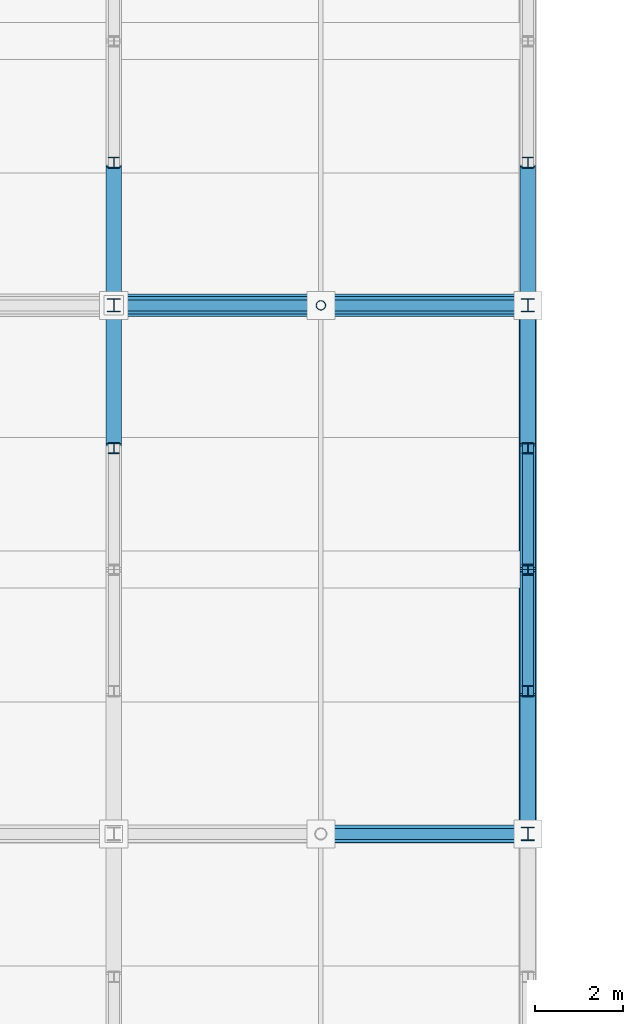
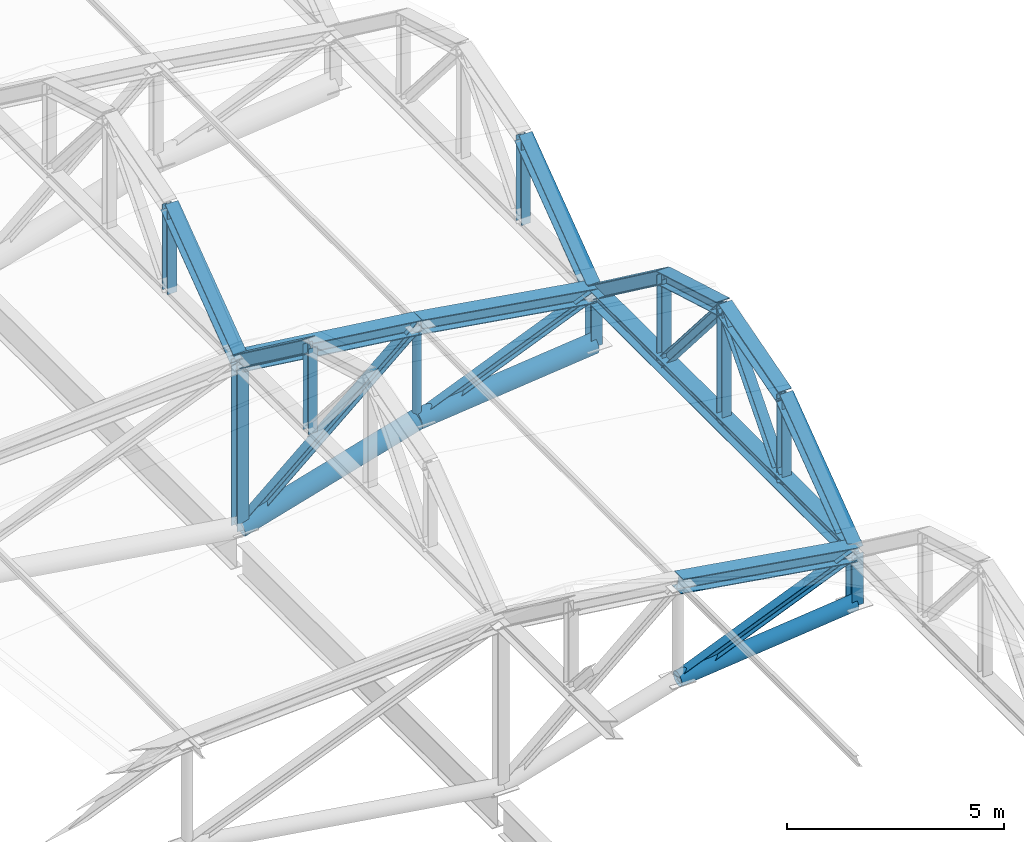
# One storey, part 15 of 117: 29 members.
"""IFC4 building model written with IfcOpenShell, lengths in metres."""

import ifcopenshell
import ifcopenshell.guid

model = None  # the IFC model being written
_history = None  # IfcOwnerHistory: only IFC2X3 demands one
_inside = {}  # id of a spatial element -> (the spatial element, [elements in it])
_under = {}  # id of a project, library or spatial element -> (it, [spatial elements below it])
_declared = {}  # id of a project -> (the project, [libraries it declares])
_typed = {}  # id of a type object -> (the type object, [elements of that type])
_made_of = {}  # id of a material, layer set ... -> (it, [elements and type objects made of it])


def new_model(schema):
    """Start an empty IFC model of exactly this schema.

    Asked for "IFC4X3", IfcOpenShell would pick the latest addendum, in which some entities
    have other attributes; the version numbers below select the first issue.
    IFC2X3 requires an IfcOwnerHistory on every rooted entity: one is made here for all.
    """
    global model, _history
    if schema == "IFC4X3":
        model = ifcopenshell.file(schema_version=(4, 3, 0, 0))
    else:
        model = ifcopenshell.file(schema=schema)
    _inside.clear()
    _under.clear()
    _declared.clear()
    _typed.clear()
    _made_of.clear()
    _history = None
    if model.schema == "IFC2X3":
        org = make("IfcOrganization", Name="unknown")
        user = make(
            "IfcPersonAndOrganization",
            ThePerson=make("IfcPerson", FamilyName="unknown"),
            TheOrganization=org,
        )
        app = make(
            "IfcApplication",
            ApplicationDeveloper=org,
            Version="unknown",
            ApplicationFullName="unknown",
            ApplicationIdentifier="unknown",
        )
        _history = make(
            "IfcOwnerHistory",
            OwningUser=user,
            OwningApplication=app,
            ChangeAction="ADDED",
            CreationDate=0,
        )
    return model


def make(cls, **values):
    """One entity of the class cls with the attributes given. An attribute that is None is left unset."""
    return model.create_entity(
        cls, **{name: value for name, value in values.items() if value is not None}
    )


def rooted(cls, **values):
    """An entity with a GlobalId (a new one), such as an element, a storey or a relation."""
    return make(cls, GlobalId=ifcopenshell.guid.new(), OwnerHistory=_history, **values)


def si_unit(unit_type, name, prefix=None):
    """IfcSIUnit, for example si_unit("LENGTHUNIT", "METRE", prefix="MILLI")."""
    return make("IfcSIUnit", UnitType=unit_type, Prefix=prefix, Name=name)


def assignment(units):
    """IfcUnitAssignment: the units of a project."""
    return None if units is None else make("IfcUnitAssignment", Units=units)


def point(xyz):
    """IfcCartesianPoint."""
    return None if xyz is None else make("IfcCartesianPoint", Coordinates=xyz)


def direction(xyz):
    """IfcDirection."""
    return None if xyz is None else make("IfcDirection", DirectionRatios=xyz)


def frame(location, z_axis=None, x_axis=None):
    """IfcAxis2Placement3D, a coordinate frame: its origin and axes. An axis left out is left unset."""
    return make(
        "IfcAxis2Placement3D",
        Location=point(location),
        Axis=direction(z_axis),
        RefDirection=direction(x_axis),
    )


def frame_2d(location, x_axis=None):
    """IfcAxis2Placement2D, a coordinate frame in the plane: its origin and x axis."""
    return make(
        "IfcAxis2Placement2D", Location=point(location), RefDirection=direction(x_axis)
    )


def origin():
    """The frame at (0, 0, 0) with its axes left unset."""
    return frame((0.0, 0.0, 0.0))


def origin_2d():
    """The frame at (0, 0) in the plane with its x axis left unset."""
    return frame_2d((0.0, 0.0))


def place(relative_to, where):
    """IfcLocalPlacement: puts the frame where relative to a parent placement (None: the world)."""
    return make(
        "IfcLocalPlacement", PlacementRelTo=relative_to, RelativePlacement=where
    )


def context(
    kind, dimensions, precision=None, world=None, true_north=None, identifier=None
):
    """IfcGeometricRepresentationContext, for example the 3D "Model" context."""
    return make(
        "IfcGeometricRepresentationContext",
        ContextIdentifier=identifier,
        ContextType=kind,
        CoordinateSpaceDimension=dimensions,
        Precision=precision,
        WorldCoordinateSystem=world,
        TrueNorth=true_north,
    )


def subcontext(parent, identifier, kind, view, scale=None):
    """IfcGeometricRepresentationSubContext, for example "Body" below "Model"."""
    return make(
        "IfcGeometricRepresentationSubContext",
        ContextIdentifier=identifier,
        ContextType=kind,
        ParentContext=parent,
        TargetScale=scale,
        TargetView=view,
    )


def project(units=None, contexts=None):
    """IfcProject with its units and contexts."""
    return rooted(
        "IfcProject",
        Name="project",
        RepresentationContexts=contexts,
        UnitsInContext=assignment(units),
    )


def spatial(cls, under=None, at=None, **own):
    """A site, building, storey or space (cls), placed at a placement, below another one or the project."""
    s = rooted(cls, ObjectPlacement=at, **own)
    if under is not None:
        _under.setdefault(under.id(), (under, []))[1].append(s)
    return s


def profile(cls, at=None, kind="AREA", **sizes):
    """A parametric profile (cls). Its sizes go by their IFC names, for example OverallWidth=200.0."""
    return make(cls, ProfileType=kind, Position=at, **sizes)


def hollow_circle(**sizes):
    """IfcCircleHollowProfileDef."""
    return profile("IfcCircleHollowProfileDef", **sizes)


def i_section(**sizes):
    """IfcIShapeProfileDef."""
    return profile("IfcIShapeProfileDef", **sizes)


def extrude(swept, where, along, depth):
    """IfcExtrudedAreaSolid: the profile swept, set in the frame where, extruded along a direction by depth."""
    return make(
        "IfcExtrudedAreaSolid",
        SweptArea=swept,
        Position=where,
        ExtrudedDirection=direction(along),
        Depth=depth,
    )


def shape(context_of_items, identifier, shape_type, items):
    """IfcShapeRepresentation: the items that make up one representation, for example the "Body"."""
    return make(
        "IfcShapeRepresentation",
        ContextOfItems=context_of_items,
        RepresentationIdentifier=identifier,
        RepresentationType=shape_type,
        Items=items,
    )


def material(Name=None, Category=None):
    """IfcMaterial."""
    return make("IfcMaterial", Name=Name, Category=Category)


def material_profile(
    of_material, cross_section, Name=None, Category=None, Priority=None
):
    """IfcMaterialProfile: a cross section and its material."""
    return make(
        "IfcMaterialProfile",
        Name=Name,
        Material=of_material,
        Profile=cross_section,
        Priority=Priority,
        Category=Category,
    )


def profile_set(profiles, Name=None, composite=None):
    """IfcMaterialProfileSet."""
    return make(
        "IfcMaterialProfileSet",
        Name=Name,
        MaterialProfiles=profiles,
        CompositeProfile=composite,
    )


def made_of(thing, what):
    """Note that an element or type object is made of a material, layer set ...; save() writes the relation."""
    if what is not None:
        _made_of.setdefault(what.id(), (what, []))[1].append(thing)
    return thing


def type_object(cls, material=None, **own):
    """A type object (cls), such as IfcWallType, which elements share."""
    return made_of(rooted(cls, **own), material)


def element(
    cls,
    number,
    at=None,
    inside=None,
    cuts=None,
    type_object=None,
    material=None,
    context=None,
    identifier="Body",
    shape_type=None,
    held_by="IfcProductDefinitionShape",
    body=None,
    shapes=None,
    **own,
):
    """One element of the class cls, such as IfcWall. Its Tag is "e" and its number.

    at: its placement. inside: the storey or other place that contains it. cuts: it is an
    opening in that element (IfcRelVoidsElement). A single representation is given by context,
    identifier, shape_type and body (its items); several are given by shapes. held_by: the class
    of the entity that holds the representations. save() writes the other relations.
    """
    e = rooted(cls, Tag="e%d" % number, ObjectPlacement=at, **own)
    if body is not None:
        shapes = [shape(context, identifier, shape_type, body)]
    if shapes is not None:
        e.Representation = make(held_by, Representations=shapes)
    if inside is not None:
        _inside.setdefault(inside.id(), (inside, []))[1].append(e)
    if cuts is not None:
        rooted(
            "IfcRelVoidsElement", RelatingBuildingElement=cuts, RelatedOpeningElement=e
        )
    if type_object is not None:
        _typed.setdefault(type_object.id(), (type_object, []))[1].append(e)
    return made_of(e, material)


def aggregate(whole, parts):
    """IfcRelAggregates: a whole, such as a stair, and the parts it consists of."""
    return rooted("IfcRelAggregates", RelatingObject=whole, RelatedObjects=parts)


def save(model, path):
    """Write the relations noted so far, then the file.

    IfcRelAggregates (storeys below a building ...), IfcRelContainedInSpatialStructure (elements
    in a storey), IfcRelDefinesByType, IfcRelAssociatesMaterial and IfcRelDeclares: one each for
    every whole, place, type object, material and project.
    """
    for whole, parts in _under.values():
        aggregate(whole, parts)
    for where, things in _inside.values():
        rooted(
            "IfcRelContainedInSpatialStructure",
            RelatedElements=things,
            RelatingStructure=where,
        )
    for kind, things in _typed.values():
        rooted("IfcRelDefinesByType", RelatedObjects=things, RelatingType=kind)
    for what, things in _made_of.values():
        rooted("IfcRelAssociatesMaterial", RelatedObjects=things, RelatingMaterial=what)
    for by, libraries in _declared.values():
        rooted("IfcRelDeclares", RelatingContext=by, RelatedDefinitions=libraries)
    model.write(path)


model = new_model("IFC4")

# Units and contexts
model_context = context("Model", 3, precision=1e-05, world=origin(), true_north=direction((0.0, 1.0)))
body_context = subcontext(model_context, "Body", "Model", "MODEL_VIEW")
ifc_project = project(units=[si_unit("LENGTHUNIT", "METRE"), si_unit("AREAUNIT", "SQUARE_METRE"), si_unit("VOLUMEUNIT", "CUBIC_METRE"), si_unit("PLANEANGLEUNIT", "RADIAN"), si_unit("MASSUNIT", "GRAM", prefix="KILO")], contexts=[model_context])

# Site, building, storey
site_placement = place(None, origin())
site = spatial("IfcSite", under=ifc_project, at=site_placement, CompositionType="ELEMENT")
building_placement = place(site_placement, origin())
building = spatial("IfcBuilding", under=site, at=building_placement, Name="Kazenohara Klinker Stadium", CompositionType="ELEMENT")
storey_placement = place(building_placement, frame((0.0, 0.0, 31.199951171875)))
storey = spatial("IfcBuildingStorey", under=building, at=storey_placement, Name="RF", CompositionType="ELEMENT", Elevation=31.199951171875)

# Members
ifc_material = material(Name="Steel S355", Category="steel")
ifc_material_profile_1 = material_profile(ifc_material, i_section(OverallWidth=0.25, OverallDepth=0.25, WebThickness=0.009033203125, FlangeThickness=0.013916015625, FilletRadius=0.012939453125, at=origin_2d()), Name="H-250x250x9x14")
ifc_profile_set_1 = profile_set([ifc_material_profile_1], Name="Steel S355")
member_type_1 = type_object("IfcMemberType", Name="MEM-BRC02", PredefinedType="BRACE", material=ifc_profile_set_1)
member_1_placement = place(storey_placement, frame((53.699951171875, 60.0, 1.35009765625), z_axis=(0.923659284192, 0.0, 0.383214726655), x_axis=(0.0, 1.0, 0.0)))
element("IfcMember", 1, at=member_1_placement, inside=storey, type_object=member_type_1, Name="ROOF TRUSS RT-W02 web diagonal 5", PredefinedType="BRACE", context=body_context, shape_type="SweptSolid", body=[
    extrude(i_section(OverallWidth=0.25, OverallDepth=0.25, WebThickness=0.009033203125, FlangeThickness=0.013916015625, FilletRadius=0.012939453125, at=origin_2d()), origin(), (0.0, 0.0, 1.0), 5.08837890625),
])
member_2_placement = place(storey_placement, frame((49.0, 72.0, -0.02001953125), z_axis=(0.755945561544, 0.0, 0.65463448426), x_axis=(0.0, 1.0, 0.0)))
element("IfcMember", 2, at=member_2_placement, inside=storey, type_object=member_type_1, Name="ROOF TRUSS RT-W03 web diagonal 4", PredefinedType="BRACE", context=body_context, shape_type="SweptSolid", body=[
    extrude(i_section(OverallWidth=0.25, OverallDepth=0.25, WebThickness=0.009033203125, FlangeThickness=0.013916015625, FilletRadius=0.012939453125, at=origin_2d()), origin(), (0.0, 0.0, 1.0), 6.21728515625),
])
member_3_placement = place(storey_placement, frame((53.699951171875, 72.0, 1.35009765625), z_axis=(0.923659284192, 0.0, 0.383214726655), x_axis=(0.0, 1.0, 0.0)))
element("IfcMember", 3, at=member_3_placement, inside=storey, type_object=member_type_1, Name="ROOF TRUSS RT-W03 web diagonal 5", PredefinedType="BRACE", context=body_context, shape_type="SweptSolid", body=[
    extrude(i_section(OverallWidth=0.25, OverallDepth=0.25, WebThickness=0.009033203125, FlangeThickness=0.013916015625, FilletRadius=0.012939453125, at=origin_2d()), origin(), (0.0, 0.0, 1.0), 5.08837890625),
])
ifc_material_profile_2 = material_profile(ifc_material, i_section(OverallWidth=0.39990234375, OverallDepth=0.39990234375, WebThickness=0.012939453125, FlangeThickness=0.02099609375, FilletRadius=0.02197265625, at=origin_2d()), Name="H-400x400x13x21")
ifc_profile_set_2 = profile_set([ifc_material_profile_2], Name="Steel S355")
member_type_2 = type_object("IfcMemberType", Name="MEM-CHD01", PredefinedType="CHORD", material=ifc_profile_set_2)
member_4_placement = place(storey_placement, frame((53.699951171875, 60.0, 4.050048828125), z_axis=(0.987505848374, 0.0, -0.157582357602), x_axis=(0.0, 1.0, 0.0)))
element("IfcMember", 4, at=member_4_placement, inside=storey, type_object=member_type_2, Name="ROOF TRUSS RT-W02 top arched chord 5", PredefinedType="CHORD", context=body_context, shape_type="SweptSolid", body=[
    extrude(i_section(OverallWidth=0.39990234375, OverallDepth=0.39990234375, WebThickness=0.012939453125, FlangeThickness=0.02099609375, FilletRadius=0.02197265625, at=origin_2d()), origin(), (0.0, 0.0, 1.0), 4.759521484375),
])
member_5_placement = place(storey_placement, frame((49.0, 72.0, 4.650146484375), z_axis=(0.99194702514, 0.0, -0.126653461524), x_axis=(0.0, 1.0, 0.0)))
element("IfcMember", 5, at=member_5_placement, inside=storey, type_object=member_type_2, Name="ROOF TRUSS RT-W03 top arched chord 4", PredefinedType="CHORD", context=body_context, shape_type="SweptSolid", body=[
    extrude(i_section(OverallWidth=0.39990234375, OverallDepth=0.39990234375, WebThickness=0.012939453125, FlangeThickness=0.02099609375, FilletRadius=0.02197265625, at=origin_2d()), origin(), (0.0, 0.0, 1.0), 4.738037109375),
])
member_6_placement = place(storey_placement, frame((53.699951171875, 72.0, 4.050048828125), z_axis=(0.987505848374, 0.0, -0.157582357602), x_axis=(0.0, 1.0, 0.0)))
element("IfcMember", 6, at=member_6_placement, inside=storey, type_object=member_type_2, Name="ROOF TRUSS RT-W03 top arched chord 5", PredefinedType="CHORD", context=body_context, shape_type="SweptSolid", body=[
    extrude(i_section(OverallWidth=0.39990234375, OverallDepth=0.39990234375, WebThickness=0.012939453125, FlangeThickness=0.02099609375, FilletRadius=0.02197265625, at=origin_2d()), origin(), (0.0, 0.0, 1.0), 4.759521484375),
])
member_7_placement = place(storey_placement, frame((58.39990234375, 60.0, 3.300048828125), z_axis=(0.0, 1.0, 0.0), x_axis=(-1.0, 0.0, 0.0)))
element("IfcMember", 7, at=member_7_placement, inside=storey, type_object=member_type_2, Name="Inner tension ring chord TC01 segment 02", PredefinedType="CHORD", context=body_context, shape_type="SweptSolid", body=[
    extrude(i_section(OverallWidth=0.39990234375, OverallDepth=0.39990234375, WebThickness=0.012939453125, FlangeThickness=0.02099609375, FilletRadius=0.02197265625, at=origin_2d()), origin(), (0.0, 0.0, 1.0), 12.0),
])
ifc_material_profile_3 = material_profile(ifc_material, i_section(OverallWidth=0.35009765625, OverallDepth=0.35009765625, WebThickness=0.011962890625, FlangeThickness=0.01904296875, FilletRadius=0.012939453125, at=origin_2d()), Name="H-350x350x12x19")
ifc_profile_set_3 = profile_set([ifc_material_profile_3], Name="Steel S355")
member_type_3 = type_object("IfcMemberType", Name="MEM-CHD02", PredefinedType="CHORD", material=ifc_profile_set_3)
for number, where, z_axis, x_axis, name in (
    (8, (49.0, 68.760009765625, 7.050048828125), (0.0, 0.803567919639, -0.595213069856), (-1.0, 0.0, 0.0), "Barrel arch top rib TC02 W-02-N3-S4"),
    (9, (58.39990234375, 60.0, 3.300048828125), (0.0, 0.803567919639, 0.595213069856), (-1.0, 0.0, 0.0), "Barrel arch top rib TC02 W-02-N5-S1"),
):
    element("IfcMember", number, at=place(storey_placement, frame(where, z_axis=z_axis, x_axis=x_axis)), inside=storey, type_object=member_type_3, Name=name, PredefinedType="CHORD", context=body_context, shape_type="SweptSolid", body=[
        extrude(i_section(OverallWidth=0.35009765625, OverallDepth=0.35009765625, WebThickness=0.011962890625, FlangeThickness=0.01904296875, FilletRadius=0.012939453125, at=origin_2d()), origin(), (0.0, 0.0, 1.0), 4.031982421875),
    ])
for number, where, z_axis, x_axis, name in (
    (10, (58.39990234375, 63.239990234375, 5.699951171875), (0.0, 0.960462085918, 0.27841081429), (-1.0, 0.0, 0.0), "Barrel arch top rib TC02 W-02-N5-S2"),
    (11, (58.39990234375, 66.0, 6.5), (0.0, 0.960462085918, -0.27841081429), (-1.0, 0.0, 0.0), "Barrel arch top rib TC02 W-02-N5-S3"),
):
    element("IfcMember", number, at=place(storey_placement, frame(where, z_axis=z_axis, x_axis=x_axis)), inside=storey, type_object=member_type_3, Name=name, PredefinedType="CHORD", context=body_context, shape_type="SweptSolid", body=[
        extrude(i_section(OverallWidth=0.35009765625, OverallDepth=0.35009765625, WebThickness=0.011962890625, FlangeThickness=0.01904296875, FilletRadius=0.012939453125, at=origin_2d()), origin(), (0.0, 0.0, 1.0), 2.87353515625),
    ])
for number, where, z_axis, x_axis, name in (
    (12, (58.39990234375, 68.760009765625, 5.699951171875), (0.0, 0.803567919639, -0.595213069856), (-1.0, 0.0, 0.0), "Barrel arch top rib TC02 W-02-N5-S4"),
    (13, (49.0, 72.0, 4.650146484375), (0.0, 0.803567919639, 0.595213069856), (-1.0, 0.0, 0.0), "Barrel arch top rib TC02 W-03-N3-S1"),
    (14, (58.39990234375, 72.0, 3.300048828125), (0.0, 0.803567919639, 0.595213069856), (-1.0, 0.0, 0.0), "Barrel arch top rib TC02 W-03-N5-S1"),
):
    element("IfcMember", number, at=place(storey_placement, frame(where, z_axis=z_axis, x_axis=x_axis)), inside=storey, type_object=member_type_3, Name=name, PredefinedType="CHORD", context=body_context, shape_type="SweptSolid", body=[
        extrude(i_section(OverallWidth=0.35009765625, OverallDepth=0.35009765625, WebThickness=0.011962890625, FlangeThickness=0.01904296875, FilletRadius=0.012939453125, at=origin_2d()), origin(), (0.0, 0.0, 1.0), 4.031982421875),
    ])
ifc_material_profile_4 = material_profile(ifc_material, hollow_circle(Radius=0.203125, WallThickness=0.011962890625, at=origin_2d()), Name="CHS-406.4x12")
ifc_profile_set_4 = profile_set([ifc_material_profile_4], Name="Steel S355")
member_type_4 = type_object("IfcMemberType", Name="MEM-CHD03", PredefinedType="CHORD", material=ifc_profile_set_4)
member_8_placement = place(storey_placement, frame((53.699951171875, 60.0, 1.35009765625), z_axis=(0.99438879757, 0.0, 0.105787141313), x_axis=(0.0, 1.0, 0.0)))
element("IfcMember", 15, at=member_8_placement, inside=storey, type_object=member_type_4, Name="ROOF TRUSS RT-W02 bottom arched chord 5", PredefinedType="CHORD", context=body_context, shape_type="SweptSolid", body=[
    extrude(hollow_circle(Radius=0.203125, WallThickness=0.011962890625, at=origin_2d()), origin(), (0.0, 0.0, 1.0), 4.7265625),
])
ifc_material_profile_5 = material_profile(ifc_material, hollow_circle(Radius=0.25390625, WallThickness=0.01611328125, at=origin_2d()), Name="CHS-508.0x16")
ifc_profile_set_5 = profile_set([ifc_material_profile_5], Name="Steel S355")
member_type_5 = type_object("IfcMemberType", Name="MEM-CHD04", PredefinedType="CHORD", material=ifc_profile_set_5)
member_9_placement = place(storey_placement, frame((49.0, 72.0, -0.02001953125), z_axis=(0.960038530088, 0.0, 0.279867863012), x_axis=(0.0, 1.0, 0.0)))
element("IfcMember", 16, at=member_9_placement, inside=storey, type_object=member_type_5, Name="ROOF TRUSS RT-W03 bottom arched chord 4", PredefinedType="CHORD", context=body_context, shape_type="SweptSolid", body=[
    extrude(hollow_circle(Radius=0.25390625, WallThickness=0.01611328125, at=origin_2d()), origin(), (0.0, 0.0, 1.0), 4.8955078125),
])
member_10_placement = place(storey_placement, frame((53.699951171875, 72.0, 1.35009765625), z_axis=(0.99438879757, 0.0, 0.105787141313), x_axis=(0.0, 1.0, 0.0)))
element("IfcMember", 17, at=member_10_placement, inside=storey, type_object=member_type_5, Name="ROOF TRUSS RT-W03 bottom arched chord 5", PredefinedType="CHORD", context=body_context, shape_type="SweptSolid", body=[
    extrude(hollow_circle(Radius=0.25390625, WallThickness=0.01611328125, at=origin_2d()), origin(), (0.0, 0.0, 1.0), 4.7265625),
])
ifc_material_profile_6 = material_profile(ifc_material, i_section(OverallWidth=0.300048828125, OverallDepth=0.300048828125, WebThickness=0.010009765625, FlangeThickness=0.014892578125, FilletRadius=0.012939453125, at=origin_2d()), Name="H-300x300x10x15")
ifc_profile_set_6 = profile_set([ifc_material_profile_6], Name="Steel S355")
member_type_6 = type_object("IfcMemberType", Name="MEM-STR01", PredefinedType="STRUT", material=ifc_profile_set_6)
member_11_placement = place(storey_placement, frame((58.39990234375, 60.0, 1.85009765625), z_axis=(0.0, 0.0, 1.0), x_axis=(1.0, 0.0, 0.0)))
element("IfcMember", 18, at=member_11_placement, inside=storey, type_object=member_type_6, Name="ROOF TRUSS RT-W02 web post 6", PredefinedType="STRUT", context=body_context, shape_type="SweptSolid", body=[
    extrude(i_section(OverallWidth=0.300048828125, OverallDepth=0.300048828125, WebThickness=0.010009765625, FlangeThickness=0.014892578125, FilletRadius=0.012939453125, at=origin_2d()), origin(), (0.0, 0.0, 1.0), 1.449951171875),
])
member_12_placement = place(storey_placement, frame((49.0, 72.0, -0.02001953125), z_axis=(0.0, 0.0, 1.0), x_axis=(1.0, 0.0, 0.0)))
element("IfcMember", 19, at=member_12_placement, inside=storey, type_object=member_type_6, Name="ROOF TRUSS RT-W03 web post 4", PredefinedType="STRUT", context=body_context, shape_type="SweptSolid", body=[
    extrude(i_section(OverallWidth=0.300048828125, OverallDepth=0.300048828125, WebThickness=0.010009765625, FlangeThickness=0.014892578125, FilletRadius=0.012939453125, at=origin_2d()), origin(), (0.0, 0.0, 1.0), 4.670166015625),
])
member_13_placement = place(storey_placement, frame((58.39990234375, 72.0, 1.85009765625), z_axis=(0.0, 0.0, 1.0), x_axis=(1.0, 0.0, 0.0)))
element("IfcMember", 20, at=member_13_placement, inside=storey, type_object=member_type_6, Name="ROOF TRUSS RT-W03 web post 6", PredefinedType="STRUT", context=body_context, shape_type="SweptSolid", body=[
    extrude(i_section(OverallWidth=0.300048828125, OverallDepth=0.300048828125, WebThickness=0.010009765625, FlangeThickness=0.014892578125, FilletRadius=0.012939453125, at=origin_2d()), origin(), (0.0, 0.0, 1.0), 1.449951171875),
])
ifc_material_profile_7 = material_profile(ifc_material, i_section(OverallWidth=0.25, OverallDepth=0.25, WebThickness=0.009033203125, FlangeThickness=0.013916015625, FilletRadius=0.012939453125, at=origin_2d()), Name="H-250x250x9x14")
ifc_profile_set_7 = profile_set([ifc_material_profile_7], Name="Steel S355")
member_type_7 = type_object("IfcMemberType", Name="MEM-STR02", PredefinedType="STRUT", material=ifc_profile_set_7)
for number, where, z_axis, x_axis, name in (
    (21, (49.0, 68.760009765625, 4.650146484375), (0.0, 0.0, 1.0), (1.0, 0.0, 0.0), "Barrel arch web post TS02 W-02-N3-P3"),
    (22, (58.39990234375, 63.239990234375, 3.300048828125), (0.0, 0.0, 1.0), (1.0, 0.0, 0.0), "Barrel arch web post TS02 W-02-N5-P1"),
):
    element("IfcMember", number, at=place(storey_placement, frame(where, z_axis=z_axis, x_axis=x_axis)), inside=storey, type_object=member_type_7, Name=name, PredefinedType="STRUT", context=body_context, shape_type="SweptSolid", body=[
        extrude(i_section(OverallWidth=0.25, OverallDepth=0.25, WebThickness=0.009033203125, FlangeThickness=0.013916015625, FilletRadius=0.012939453125, at=origin_2d()), origin(), (0.0, 0.0, 1.0), 2.39990234375),
    ])
member_14_placement = place(storey_placement, frame((58.39990234375, 66.0, 3.300048828125), z_axis=(0.0, 0.0, 1.0), x_axis=(1.0, 0.0, 0.0)))
element("IfcMember", 23, at=member_14_placement, inside=storey, type_object=member_type_7, Name="Barrel arch web post TS02 W-02-N5-P2", PredefinedType="STRUT", context=body_context, shape_type="SweptSolid", body=[
    extrude(i_section(OverallWidth=0.25, OverallDepth=0.25, WebThickness=0.009033203125, FlangeThickness=0.013916015625, FilletRadius=0.012939453125, at=origin_2d()), origin(), (0.0, 0.0, 1.0), 3.199951171875),
])
member_15_placement = place(storey_placement, frame((58.39990234375, 68.760009765625, 3.300048828125), z_axis=(0.0, 0.0, 1.0), x_axis=(1.0, 0.0, 0.0)))
element("IfcMember", 24, at=member_15_placement, inside=storey, type_object=member_type_7, Name="Barrel arch web post TS02 W-02-N5-P3", PredefinedType="STRUT", context=body_context, shape_type="SweptSolid", body=[
    extrude(i_section(OverallWidth=0.25, OverallDepth=0.25, WebThickness=0.009033203125, FlangeThickness=0.013916015625, FilletRadius=0.012939453125, at=origin_2d()), origin(), (0.0, 0.0, 1.0), 2.39990234375),
])
for number, where, z_axis, x_axis, name in (
    (25, (58.39990234375, 63.239990234375, 3.300048828125), (0.0, 0.653133887971, 0.757242447558), (-1.0, 0.0, 0.0), "Barrel arch web diagonal TS02 W-02-N5-D1"),
    (26, (58.39990234375, 68.760009765625, 3.300048828125), (0.0, -0.653133887971, 0.757242447558), (1.0, 0.0, 0.0), "Barrel arch web diagonal TS02 W-02-N5-D2"),
):
    element("IfcMember", number, at=place(storey_placement, frame(where, z_axis=z_axis, x_axis=x_axis)), inside=storey, type_object=member_type_7, Name=name, PredefinedType="STRUT", context=body_context, shape_type="SweptSolid", body=[
        extrude(i_section(OverallWidth=0.25, OverallDepth=0.25, WebThickness=0.009033203125, FlangeThickness=0.013916015625, FilletRadius=0.012939453125, at=origin_2d()), origin(), (0.0, 0.0, 1.0), 4.225830078125),
    ])
for number, where, z_axis, x_axis, name in (
    (27, (49.0, 75.239990234375, 4.650146484375), (0.0, 0.0, 1.0), (1.0, 0.0, 0.0), "Barrel arch web post TS02 W-03-N3-P1"),
    (28, (58.39990234375, 75.239990234375, 3.300048828125), (0.0, 0.0, 1.0), (1.0, 0.0, 0.0), "Barrel arch web post TS02 W-03-N5-P1"),
):
    element("IfcMember", number, at=place(storey_placement, frame(where, z_axis=z_axis, x_axis=x_axis)), inside=storey, type_object=member_type_7, Name=name, PredefinedType="STRUT", context=body_context, shape_type="SweptSolid", body=[
        extrude(i_section(OverallWidth=0.25, OverallDepth=0.25, WebThickness=0.009033203125, FlangeThickness=0.013916015625, FilletRadius=0.012939453125, at=origin_2d()), origin(), (0.0, 0.0, 1.0), 2.39990234375),
    ])
ifc_material_profile_8 = material_profile(ifc_material, hollow_circle(Radius=0.108154296875, WallThickness=0.008056640625, at=origin_2d()), Name="CHS-216.3x8")
ifc_profile_set_8 = profile_set([ifc_material_profile_8], Name="Steel S355")
member_type_8 = type_object("IfcMemberType", Name="MEM-STR04", PredefinedType="STRUT", material=ifc_profile_set_8)
member_16_placement = place(storey_placement, frame((53.699951171875, 72.0, 1.35009765625), z_axis=(0.0, 0.0, 1.0), x_axis=(1.0, 0.0, 0.0)))
element("IfcMember", 29, at=member_16_placement, inside=storey, type_object=member_type_8, Name="ROOF TRUSS RT-W03 web post 5", PredefinedType="STRUT", context=body_context, shape_type="SweptSolid", body=[
    extrude(hollow_circle(Radius=0.108154296875, WallThickness=0.008056640625, at=origin_2d()), origin(), (0.0, 0.0, 1.0), 2.699951171875),
])

save(model, "model.ifc")
